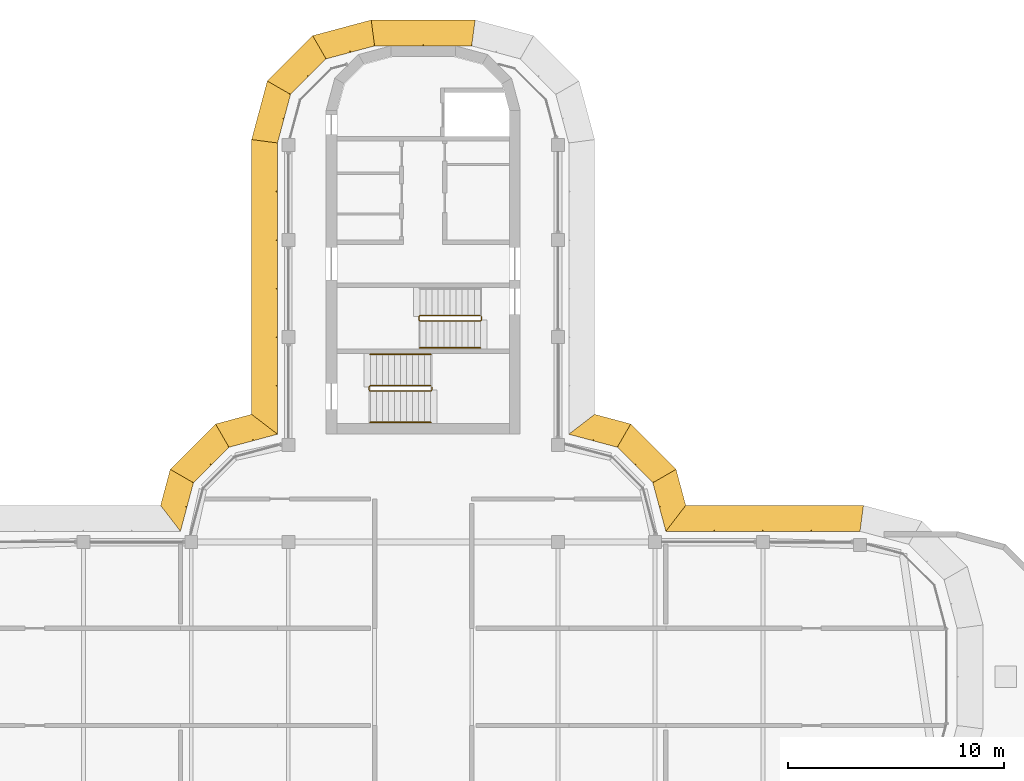
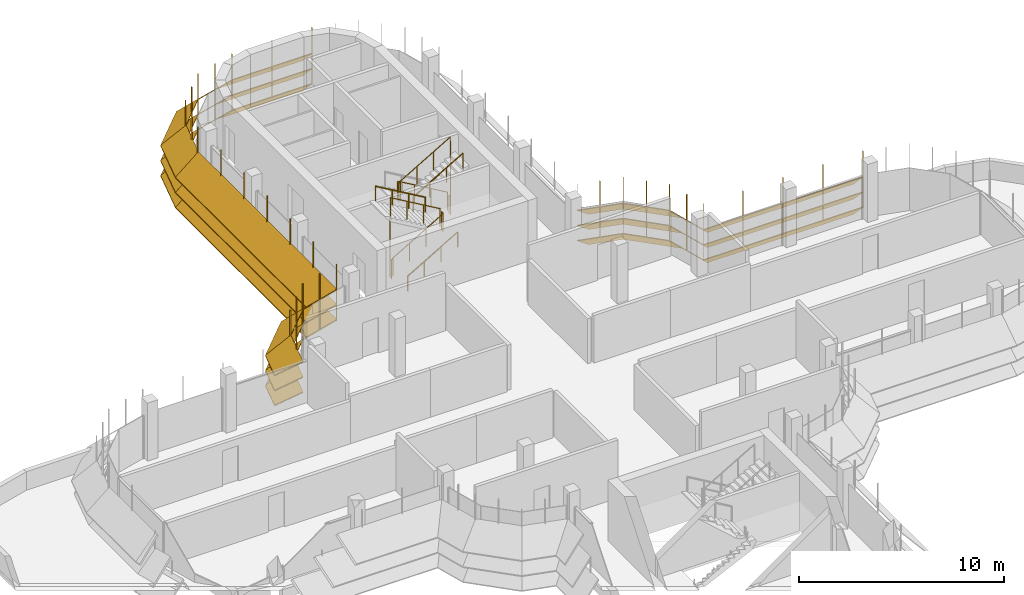
# One storey, part 19 of 20: 6 shading devices, 5 railings.
"""IFC4 building model written with IfcOpenShell, lengths in metres."""

from ifc_helpers import new_model, si_unit, direction, frame, origin, origin_2d, place, context, subcontext, project, spatial, polyline, circle, outline, extrude, faceted_brep, source, transform, mapped, material, type_object, element, save


model = new_model("IFC4")

# Units and contexts
model_context = context("Model", 3, precision=1e-05, world=origin(), true_north=direction((0.0, 1.0)))
body_context = subcontext(model_context, "Body", "Model", "MODEL_VIEW")
ifc_project = project(units=[si_unit("LENGTHUNIT", "METRE"), si_unit("AREAUNIT", "SQUARE_METRE"), si_unit("VOLUMEUNIT", "CUBIC_METRE"), si_unit("PLANEANGLEUNIT", "RADIAN"), si_unit("MASSUNIT", "GRAM", prefix="KILO")], contexts=[model_context])

# Site, building, storey
site_placement = place(None, origin())
site = spatial("IfcSite", under=ifc_project, at=site_placement, CompositionType="ELEMENT")
building_placement = place(site_placement, origin())
building = spatial("IfcBuilding", under=site, at=building_placement, Name="Zarbagh Exchange Tower", CompositionType="ELEMENT")
storey_placement = place(building_placement, frame((0.0, 0.0, 291.60009765625)))
storey = spatial("IfcBuildingStorey", under=building, at=storey_placement, Name="L71", CompositionType="ELEMENT", Elevation=291.60009765625)

# Railings
ifc_material_1 = material(Name="Stainless steel", Category="steel")
railing_type_1 = type_object("IfcRailingType", Name="Stair guard 1100 mm", PredefinedType="GUARDRAIL", material=ifc_material_1)
railing_1_placement = place(storey_placement, frame((2.64990234375, 16.75, 0.16357421875)))
element("IfcRailing", 1, at=railing_1_placement, inside=storey, type_object=railing_type_1, Name="ST1 stair guard 1", PredefinedType="GUARDRAIL", context=body_context, shape_type="SweptSolid", body=[
    extrude(circle(Radius=0.02392578125, at=origin_2d()), frame((0.0, 0.0, 1.076171875), z_axis=(-0.863374499697, 0.0, 0.504563646405), x_axis=(0.0, -1.0, 0.0)), (0.0, 0.0, 1.0), 3.242919921875),
    extrude(circle(Radius=0.02392578125, at=origin_2d()), frame((-2.7998046875, 0.0, 2.71240234375), z_axis=(-0.707106781187, -0.707106781187, 0.0), x_axis=(0.707106781187, -0.707106781187, 0.0)), (0.0, 0.0, 1.0), 0.07080078125),
    extrude(circle(Radius=0.02392578125, at=origin_2d()), frame((-2.849853515625, -0.050048828125, 2.71240234375), z_axis=(0.0, -1.0, 0.0), x_axis=(1.0, 0.0, 0.0)), (0.0, 0.0, 1.0), 0.14990234375),
    extrude(circle(Radius=0.02392578125, at=origin_2d()), frame((-2.849853515625, -0.199951171875, 2.71240234375), z_axis=(0.280456126637, -0.280456126637, 0.917980785237), x_axis=(0.707106781187, 0.707106781187, 0.0)), (0.0, 0.0, 1.0), 0.178466796875),
    extrude(circle(Radius=0.02392578125, at=origin_2d()), frame((-2.7998046875, -0.25, 2.8759765625), z_axis=(0.863374499697, 0.0, 0.504563646405), x_axis=(0.0, 1.0, 0.0)), (0.0, 0.0, 1.0), 3.242919921875),
    extrude(circle(Radius=0.02392578125, at=origin_2d()), frame((0.0, -0.25, 4.51220703125), z_axis=(0.013900331382, 0.013900331382, -0.999806762117), x_axis=(-0.707106781187, 0.707106781187, 0.0)), (0.0, 0.0, 1.0), 3.6005859375),
    extrude(circle(Radius=0.02392578125, at=origin_2d()), frame((0.050048828125, -0.199951171875, 0.91259765625), z_axis=(0.0, 1.0, 0.0), x_axis=(-1.0, 0.0, 0.0)), (0.0, 0.0, 1.0), 0.14990234375),
    extrude(circle(Radius=0.02099609375, at=origin_2d()), origin(), (0.0, 0.0, 1.0), 1.052001953125),
    extrude(circle(Radius=0.02099609375, at=origin_2d()), frame((-0.933349609375, 0.0, 0.54541015625)), (0.0, 0.0, 1.0), 1.052001953125),
    extrude(circle(Radius=0.02099609375, at=origin_2d()), frame((-1.866455078125, 0.0, 1.0908203125)), (0.0, 0.0, 1.0), 1.052001953125),
    extrude(circle(Radius=0.02099609375, at=origin_2d()), frame((-2.7998046875, 0.0, 1.63623046875)), (0.0, 0.0, 1.0), 1.052001953125),
    extrude(circle(Radius=0.02099609375, at=origin_2d()), frame((-2.849853515625, -0.050048828125, 1.63623046875)), (0.0, 0.0, 1.0), 1.052001953125),
    extrude(circle(Radius=0.02099609375, at=origin_2d()), frame((-2.849853515625, -0.199951171875, 1.63623046875)), (0.0, 0.0, 1.0), 1.052001953125),
    extrude(circle(Radius=0.02099609375, at=origin_2d()), frame((-2.7998046875, -0.25, 1.800048828125)), (0.0, 0.0, 1.0), 1.052001953125),
    extrude(circle(Radius=0.02099609375, at=origin_2d()), frame((-1.866455078125, -0.25, 2.345458984375)), (0.0, 0.0, 1.0), 1.052001953125),
    extrude(circle(Radius=0.02099609375, at=origin_2d()), frame((-0.933349609375, -0.25, 2.890869140625)), (0.0, 0.0, 1.0), 1.052001953125),
    extrude(circle(Radius=0.02099609375, at=origin_2d()), frame((0.0, -0.25, 3.436279296875)), (0.0, 0.0, 1.0), 1.052001953125),
    extrude(circle(Radius=0.02099609375, at=origin_2d()), frame((0.012451171875, -0.237548828125, 2.536376953125)), (0.0, 0.0, 1.0), 1.052001953125),
    extrude(circle(Radius=0.02099609375, at=origin_2d()), frame((0.02490234375, -0.22509765625, 1.63623046875)), (0.0, 0.0, 1.0), 1.052001953125),
    extrude(circle(Radius=0.02099609375, at=origin_2d()), frame((0.03759765625, -0.21240234375, 0.736328125)), (0.0, 0.0, 1.0), 1.052001953125),
    extrude(circle(Radius=0.02099609375, at=origin_2d()), frame((0.050048828125, -0.199951171875, -0.16357421875)), (0.0, 0.0, 1.0), 1.052001953125),
    extrude(circle(Radius=0.02099609375, at=origin_2d()), frame((0.050048828125, -0.050048828125, -0.16357421875)), (0.0, 0.0, 1.0), 1.052001953125),
])
railing_2_placement = place(storey_placement, frame((0.35009765625, 13.5, 1.963623046875)))
element("IfcRailing", 2, at=railing_2_placement, inside=storey, type_object=railing_type_1, Name="ST2 stair guard 1", PredefinedType="GUARDRAIL", context=body_context, shape_type="SweptSolid", body=[
    extrude(circle(Radius=0.02392578125, at=origin_2d()), frame((0.0, 0.0, 1.076171875), z_axis=(-0.863393664356, 0.0, 0.504530851732), x_axis=(0.0, -1.0, 0.0)), (0.0, 0.0, 1.0), 3.2431640625),
    extrude(circle(Radius=0.02392578125, at=origin_2d()), frame((-2.800048828125, 0.0, 2.71240234375), z_axis=(-0.013900331382, -0.013900331382, -0.999806762117), x_axis=(0.707106781187, -0.707106781187, 0.0)), (0.0, 0.0, 1.0), 3.6005859375),
    extrude(circle(Radius=0.02392578125, at=origin_2d()), frame((-2.85009765625, -0.050048828125, -0.8876953125), z_axis=(0.0, -1.0, 0.0), x_axis=(1.0, 0.0, 0.0)), (0.0, 0.0, 1.0), 0.14990234375),
    extrude(circle(Radius=0.02392578125, at=origin_2d()), frame((-2.85009765625, -0.199951171875, -0.8876953125), z_axis=(0.280808744504, -0.280808744504, 0.917765164963), x_axis=(0.707106781187, 0.707106781187, 0.0)), (0.0, 0.0, 1.0), 0.17822265625),
    extrude(circle(Radius=0.02392578125, at=origin_2d()), frame((-2.800048828125, -0.25, -0.72412109375), z_axis=(0.863393664356, 0.0, 0.504530851732), x_axis=(0.0, 1.0, 0.0)), (0.0, 0.0, 1.0), 3.2431640625),
    extrude(circle(Radius=0.02392578125, at=origin_2d()), frame((0.0, -0.25, 0.912109375), z_axis=(0.705375805398, 0.708833529934, 0.0), x_axis=(-0.708833529934, 0.705375805398, 0.0)), (0.0, 0.0, 1.0), 0.070556640625),
    extrude(circle(Radius=0.02392578125, at=origin_2d()), frame((0.0498046875, -0.199951171875, 0.912109375), z_axis=(0.0, 1.0, 0.0), x_axis=(-1.0, 0.0, 0.0)), (0.0, 0.0, 1.0), 0.14990234375),
    extrude(circle(Radius=0.02099609375, at=origin_2d()), origin(), (0.0, 0.0, 1.0), 1.052001953125),
    extrude(circle(Radius=0.02099609375, at=origin_2d()), frame((-0.933349609375, 0.0, 0.54541015625)), (0.0, 0.0, 1.0), 1.052001953125),
    extrude(circle(Radius=0.02099609375, at=origin_2d()), frame((-1.86669921875, 0.0, 1.0908203125)), (0.0, 0.0, 1.0), 1.052001953125),
    extrude(circle(Radius=0.02099609375, at=origin_2d()), frame((-2.800048828125, 0.0, 1.63623046875)), (0.0, 0.0, 1.0), 1.052001953125),
    extrude(circle(Radius=0.02099609375, at=origin_2d()), frame((-2.8125, -0.012451171875, 0.736328125)), (0.0, 0.0, 1.0), 1.052001953125),
    extrude(circle(Radius=0.02099609375, at=origin_2d()), frame((-2.8251953125, -0.02490234375, -0.16357421875)), (0.0, 0.0, 1.0), 1.052001953125),
    extrude(circle(Radius=0.02099609375, at=origin_2d()), frame((-2.837646484375, -0.03759765625, -1.063720703125)), (0.0, 0.0, 1.0), 1.052001953125),
    extrude(circle(Radius=0.02099609375, at=origin_2d()), frame((-2.85009765625, -0.050048828125, -1.963623046875)), (0.0, 0.0, 1.0), 1.052001953125),
    extrude(circle(Radius=0.02099609375, at=origin_2d()), frame((-2.85009765625, -0.199951171875, -1.963623046875)), (0.0, 0.0, 1.0), 1.052001953125),
    extrude(circle(Radius=0.02099609375, at=origin_2d()), frame((-2.800048828125, -0.25, -1.800048828125)), (0.0, 0.0, 1.0), 1.052001953125),
    extrude(circle(Radius=0.02099609375, at=origin_2d()), frame((-1.86669921875, -0.25, -1.254638671875)), (0.0, 0.0, 1.0), 1.052001953125),
    extrude(circle(Radius=0.02099609375, at=origin_2d()), frame((-0.933349609375, -0.25, -0.709228515625)), (0.0, 0.0, 1.0), 1.052001953125),
    extrude(circle(Radius=0.02099609375, at=origin_2d()), frame((0.0, -0.25, -0.163818359375)), (0.0, 0.0, 1.0), 1.052001953125),
    extrude(circle(Radius=0.02099609375, at=origin_2d()), frame((0.0498046875, -0.199951171875, -0.163818359375)), (0.0, 0.0, 1.0), 1.052001953125),
    extrude(circle(Radius=0.02099609375, at=origin_2d()), frame((0.0498046875, -0.050048828125, -0.163818359375)), (0.0, 0.0, 1.0), 1.052001953125),
])
railing_type_2 = type_object("IfcRailingType", Name="Stair handrail 900 mm", PredefinedType="HANDRAIL", material=ifc_material_1)
railing_3_placement = place(storey_placement, frame((-0.14990234375, 15.25, 1.963623046875)))
element("IfcRailing", 3, at=railing_3_placement, inside=storey, type_object=railing_type_2, Name="ST1 stair handrail 2", PredefinedType="HANDRAIL", context=body_context, shape_type="SweptSolid", body=[
    extrude(circle(Radius=0.02392578125, at=origin_2d()), frame((0.0, 0.0, 0.8759765625), z_axis=(0.863374499697, 0.0, 0.504563646405), x_axis=(0.0, 1.0, 0.0)), (0.0, 0.0, 1.0), 3.242919921875),
    extrude(circle(Radius=0.02099609375, at=origin_2d()), origin(), (0.0, 0.0, 1.0), 0.851806640625),
    extrude(circle(Radius=0.02099609375, at=origin_2d()), frame((0.933349609375, 0.0, 0.54541015625)), (0.0, 0.0, 1.0), 0.851806640625),
    extrude(circle(Radius=0.02099609375, at=origin_2d()), frame((1.866455078125, 0.0, 1.0908203125)), (0.0, 0.0, 1.0), 0.851806640625),
    extrude(circle(Radius=0.02099609375, at=origin_2d()), frame((2.7998046875, 0.0, 1.63623046875)), (0.0, 0.0, 1.0), 0.851806640625),
])
railing_4_placement = place(storey_placement, frame((-2.449951171875, 11.800048828125, 0.16357421875)))
element("IfcRailing", 4, at=railing_4_placement, inside=storey, type_object=railing_type_2, Name="ST2 stair handrail 1", PredefinedType="HANDRAIL", context=body_context, shape_type="SweptSolid", body=[
    extrude(circle(Radius=0.02392578125, at=origin_2d()), frame((0.0, 0.0, 0.8759765625), z_axis=(0.863393664356, 0.0, 0.504530851732), x_axis=(0.0, 1.0, 0.0)), (0.0, 0.0, 1.0), 3.2431640625),
    extrude(circle(Radius=0.02099609375, at=origin_2d()), origin(), (0.0, 0.0, 1.0), 0.851806640625),
    extrude(circle(Radius=0.02099609375, at=origin_2d()), frame((0.933349609375, 0.0, 0.54541015625)), (0.0, 0.0, 1.0), 0.851806640625),
    extrude(circle(Radius=0.02099609375, at=origin_2d()), frame((1.86669921875, 0.0, 1.0908203125)), (0.0, 0.0, 1.0), 0.851806640625),
    extrude(circle(Radius=0.02099609375, at=origin_2d()), frame((2.800048828125, 0.0, 1.63623046875)), (0.0, 0.0, 1.0), 0.851806640625),
])
railing_5_placement = place(storey_placement, frame((0.35009765625, 14.949951171875, 1.963623046875)))
element("IfcRailing", 5, at=railing_5_placement, inside=storey, type_object=railing_type_2, Name="ST2 stair handrail 2", PredefinedType="HANDRAIL", context=body_context, shape_type="SweptSolid", body=[
    extrude(circle(Radius=0.02392578125, at=origin_2d()), frame((0.0, 0.0, 0.8759765625), z_axis=(-0.863393664356, 0.0, 0.504530851732), x_axis=(0.0, -1.0, 0.0)), (0.0, 0.0, 1.0), 3.2431640625),
    extrude(circle(Radius=0.02099609375, at=origin_2d()), origin(), (0.0, 0.0, 1.0), 0.851806640625),
    extrude(circle(Radius=0.02099609375, at=origin_2d()), frame((-0.933349609375, 0.0, 0.54541015625)), (0.0, 0.0, 1.0), 0.851806640625),
    extrude(circle(Radius=0.02099609375, at=origin_2d()), frame((-1.86669921875, 0.0, 1.0908203125)), (0.0, 0.0, 1.0), 0.851806640625),
    extrude(circle(Radius=0.02099609375, at=origin_2d()), frame((-2.800048828125, 0.0, 1.63623046875)), (0.0, 0.0, 1.0), 0.851806640625),
])

# Shading devices
ifc_material_2 = material(Name="Anodised aluminium blades and brackets", Category="aluminium")
shading_device_type = type_object("IfcShadingDeviceType", Name="SUNSHADE louvre band, 45 degree blades", PredefinedType="JALOUSIE", material=ifc_material_2)
shared_shape_1 = source(origin(), body_context, "Body", "Brep", [
    faceted_brep([(0.0, 0.0, 0.0), (0.0, 0.0, -0.056640625), (-0.157958984375, -1.199951171875, -1.256591796875), (-0.157958984375, -1.199951171875, -1.199951171875), (2.65087890625, -1.199951171875, -1.199951171875), (2.65087890625, -1.199951171875, -1.256591796875), (2.329345703125, 0.0, -0.056640625), (2.329345703125, 0.0, 0.0)], [[[0, 1, 2, 3]], [[4, 5, 6, 7]], [[0, 7, 6, 1]], [[1, 6, 5, 2]], [[2, 5, 4, 3]], [[3, 4, 7, 0]]]),
])
shared_shape_2 = source(origin(), body_context, "Body", "Brep", [
    faceted_brep([(0.0, 0.0, 0.0), (0.0, 0.0, -0.056640625), (-0.321533203125, -1.199951171875, -1.256591796875), (-0.321533203125, -1.199951171875, -1.199951171875), (2.65087890625, -1.199951171875, -1.199951171875), (2.65087890625, -1.199951171875, -1.256591796875), (2.329345703125, 0.0, -0.056640625), (2.329345703125, 0.0, 0.0)], [[[0, 1, 2, 3]], [[4, 5, 6, 7]], [[0, 7, 6, 1]], [[1, 6, 5, 2]], [[2, 5, 4, 3]], [[3, 4, 7, 0]]]),
])
shared_shape_3 = source(origin(), body_context, "Body", "Brep", [
    faceted_brep([(0.0, 0.0, 0.0), (0.0, 0.0, -0.056640625), (-0.321533203125, -1.199951171875, -1.256591796875), (-0.321533203125, -1.199951171875, -1.199951171875), (2.4873046875, -1.199951171875, -1.199951171875), (2.4873046875, -1.199951171875, -1.256591796875), (2.329345703125, 0.0, -0.056640625), (2.329345703125, 0.0, 0.0)], [[[0, 1, 2, 3]], [[4, 5, 6, 7]], [[0, 7, 6, 1]], [[1, 6, 5, 2]], [[2, 5, 4, 3]], [[3, 4, 7, 0]]]),
])
shared_shape_4 = source(origin(), body_context, "Body", "SweptSolid", [
    extrude(outline(polyline([(0.0, -0.012451171875), (0.06005859375, -0.012451171875), (0.06005859375, 0.012451171875), (0.0, 0.012451171875), (0.0, -0.012451171875)])), origin(), (0.0, 0.0, 1.0), 3.366455078125),
])
placement = place(storey_placement, origin())
element("IfcShadingDevice", 6, at=placement, inside=storey, type_object=shading_device_type, Name="SS48 sunshade band", PredefinedType="JALOUSIE", context=body_context, shape_type="MappedRepresentation", body=[
    mapped(shared_shape_1, transform((-2.25, 29.25, 2.099853515625), x_axis=(-0.965924289636, -0.258824779902, 0.0), y_axis=(0.258824779902, -0.965924289636, 0.0), z_axis=(0.0, 0.0, 1.0))),
    mapped(shared_shape_1, transform((-2.25, 29.25, 1.199951171875), x_axis=(-0.965924289636, -0.258824779902, 0.0), y_axis=(0.258824779902, -0.965924289636, 0.0), z_axis=(0.0, 0.0, 1.0))),
    mapped(shared_shape_1, transform((-2.25, 29.25, 0.2998046875), x_axis=(-0.965924289636, -0.258824779902, 0.0), y_axis=(0.258824779902, -0.965924289636, 0.0), z_axis=(0.0, 0.0, 1.0))),
    mapped(shared_shape_2, transform((-4.5, 28.647216796875, 2.099853515625), x_axis=(-0.707106781187, -0.707106781187, 0.0), y_axis=(0.707106781187, -0.707106781187, 0.0), z_axis=(0.0, 0.0, 1.0))),
    mapped(shared_shape_2, transform((-4.5, 28.647216796875, 1.199951171875), x_axis=(-0.707106781187, -0.707106781187, 0.0), y_axis=(0.707106781187, -0.707106781187, 0.0), z_axis=(0.0, 0.0, 1.0))),
    mapped(shared_shape_2, transform((-4.5, 28.647216796875, 0.2998046875), x_axis=(-0.707106781187, -0.707106781187, 0.0), y_axis=(0.707106781187, -0.707106781187, 0.0), z_axis=(0.0, 0.0, 1.0))),
    mapped(shared_shape_3, transform((-6.147216796875, 27.0, 2.099853515625), x_axis=(-0.258824779902, -0.965924289636, 0.0), y_axis=(0.965924289636, -0.258824779902, 0.0), z_axis=(0.0, 0.0, 1.0))),
    mapped(shared_shape_3, transform((-6.147216796875, 27.0, 1.199951171875), x_axis=(-0.258824779902, -0.965924289636, 0.0), y_axis=(0.965924289636, -0.258824779902, 0.0), z_axis=(0.0, 0.0, 1.0))),
    mapped(shared_shape_3, transform((-6.147216796875, 27.0, 0.2998046875), x_axis=(-0.258824779902, -0.965924289636, 0.0), y_axis=(0.965924289636, -0.258824779902, 0.0), z_axis=(0.0, 0.0, 1.0))),
    mapped(shared_shape_4, transform((-2.25, 29.25, 0.21337890625), x_axis=(-0.130529263012, 0.991444457092, 0.0), y_axis=(-0.991444457092, -0.130529263012, 0.0), z_axis=(0.0, 0.0, 1.0))),
    mapped(shared_shape_4, transform((-3.375, 28.948486328125, 0.21337890625), x_axis=(-0.258825058029, 0.96592421511, 0.0), y_axis=(-0.96592421511, -0.258825058029, 0.0), z_axis=(0.0, 0.0, 1.0))),
    mapped(shared_shape_4, transform((-4.5, 28.647216796875, 0.21337890625), x_axis=(-0.50000275701, 0.866023812018, 0.0), y_axis=(-0.866023812018, -0.50000275701, 0.0), z_axis=(0.0, 0.0, 1.0))),
    mapped(shared_shape_4, transform((-5.323486328125, 27.823486328125, 0.21337890625), x_axis=(-0.707106781187, 0.707106781187, 0.0), y_axis=(-0.707106781187, -0.707106781187, 0.0), z_axis=(0.0, 0.0, 1.0))),
    mapped(shared_shape_4, transform((-6.147216796875, 27.0, 0.21337890625), x_axis=(-0.866023812018, 0.50000275701, 0.0), y_axis=(-0.50000275701, -0.866023812018, 0.0), z_axis=(0.0, 0.0, 1.0))),
    mapped(shared_shape_4, transform((-6.448486328125, 25.875, 0.21337890625), x_axis=(-0.96592421511, 0.258825058029, 0.0), y_axis=(-0.258825058029, -0.96592421511, 0.0), z_axis=(0.0, 0.0, 1.0))),
])
shared_shape_5 = source(origin(), body_context, "Body", "Brep", [
    faceted_brep([(0.0, 0.0, 0.0), (0.0, 0.0, -0.056640625), (0.9208984375, -1.199951171875, -1.256591796875), (0.9208984375, -1.199951171875, -1.199951171875), (2.65087890625, -1.199951171875, -1.199951171875), (2.65087890625, -1.199951171875, -1.256591796875), (2.329345703125, 0.0, -0.056640625), (2.329345703125, 0.0, 0.0)], [[[0, 1, 2, 3]], [[4, 5, 6, 7]], [[0, 7, 6, 1]], [[1, 6, 5, 2]], [[2, 5, 4, 3]], [[3, 4, 7, 0]]]),
])
shared_shape_6 = source(origin(), body_context, "Body", "Brep", [
    faceted_brep([(0.0, 0.0, 0.0), (0.0, 0.0, -0.056640625), (-0.321533203125, -1.199951171875, -1.256591796875), (-0.321533203125, -1.199951171875, -1.199951171875), (1.40869140625, -1.199951171875, -1.199951171875), (1.40869140625, -1.199951171875, -1.256591796875), (2.329345703125, 0.0, -0.056640625), (2.329345703125, 0.0, 0.0)], [[[0, 1, 2, 3]], [[4, 5, 6, 7]], [[0, 7, 6, 1]], [[1, 6, 5, 2]], [[2, 5, 4, 3]], [[3, 4, 7, 0]]]),
])
element("IfcShadingDevice", 7, at=placement, inside=storey, type_object=shading_device_type, Name="SS09 sunshade band", PredefinedType="JALOUSIE", context=body_context, shape_type="MappedRepresentation", body=[
    mapped(shared_shape_5, transform((11.25, 6.75, 2.099853515625), x_axis=(-0.258824779902, 0.965924289636, 0.0), y_axis=(-0.965924289636, -0.258824779902, 0.0), z_axis=(0.0, 0.0, 1.0))),
    mapped(shared_shape_5, transform((11.25, 6.75, 1.199951171875), x_axis=(-0.258824779902, 0.965924289636, 0.0), y_axis=(-0.965924289636, -0.258824779902, 0.0), z_axis=(0.0, 0.0, 1.0))),
    mapped(shared_shape_5, transform((11.25, 6.75, 0.2998046875), x_axis=(-0.258824779902, 0.965924289636, 0.0), y_axis=(-0.965924289636, -0.258824779902, 0.0), z_axis=(0.0, 0.0, 1.0))),
    mapped(shared_shape_2, transform((10.647216796875, 9.0, 2.099853515625), x_axis=(-0.707106781187, 0.707106781187, 0.0), y_axis=(-0.707106781187, -0.707106781187, 0.0), z_axis=(0.0, 0.0, 1.0))),
    mapped(shared_shape_2, transform((10.647216796875, 9.0, 1.199951171875), x_axis=(-0.707106781187, 0.707106781187, 0.0), y_axis=(-0.707106781187, -0.707106781187, 0.0), z_axis=(0.0, 0.0, 1.0))),
    mapped(shared_shape_2, transform((10.647216796875, 9.0, 0.2998046875), x_axis=(-0.707106781187, 0.707106781187, 0.0), y_axis=(-0.707106781187, -0.707106781187, 0.0), z_axis=(0.0, 0.0, 1.0))),
    mapped(shared_shape_6, transform((9.0, 10.647216796875, 2.099853515625), x_axis=(-0.965924289636, 0.258824779902, 0.0), y_axis=(-0.258824779902, -0.965924289636, 0.0), z_axis=(0.0, 0.0, 1.0))),
    mapped(shared_shape_6, transform((9.0, 10.647216796875, 1.199951171875), x_axis=(-0.965924289636, 0.258824779902, 0.0), y_axis=(-0.258824779902, -0.965924289636, 0.0), z_axis=(0.0, 0.0, 1.0))),
    mapped(shared_shape_6, transform((9.0, 10.647216796875, 0.2998046875), x_axis=(-0.965924289636, 0.258824779902, 0.0), y_axis=(-0.258824779902, -0.965924289636, 0.0), z_axis=(0.0, 0.0, 1.0))),
    mapped(shared_shape_4, transform((11.25, 6.75, 0.21337890625), x_axis=(0.608758892, 0.793355287, 0.0), y_axis=(-0.793355287, 0.608758892, 0.0), z_axis=(0.0, 0.0, 1.0))),
    mapped(shared_shape_4, transform((10.948486328125, 7.875, 0.21337890625), x_axis=(0.96592421511, 0.258825058029, 0.0), y_axis=(-0.258825058029, 0.96592421511, 0.0), z_axis=(0.0, 0.0, 1.0))),
    mapped(shared_shape_4, transform((10.647216796875, 9.0, 0.21337890625), x_axis=(0.866023812018, 0.50000275701, 0.0), y_axis=(-0.50000275701, 0.866023812018, 0.0), z_axis=(0.0, 0.0, 1.0))),
    mapped(shared_shape_4, transform((9.823486328125, 9.823486328125, 0.21337890625), x_axis=(0.707106781187, 0.707106781187, 0.0), y_axis=(-0.707106781187, 0.707106781187, 0.0), z_axis=(0.0, 0.0, 1.0))),
    mapped(shared_shape_4, transform((9.0, 10.647216796875, 0.21337890625), x_axis=(0.50000275701, 0.866023812018, 0.0), y_axis=(-0.866023812018, 0.50000275701, 0.0), z_axis=(0.0, 0.0, 1.0))),
    mapped(shared_shape_4, transform((7.875, 10.948486328125, 0.21337890625), x_axis=(0.258825058029, 0.96592421511, 0.0), y_axis=(-0.96592421511, 0.258825058029, 0.0), z_axis=(0.0, 0.0, 1.0))),
])
element("IfcShadingDevice", 8, at=placement, inside=storey, type_object=shading_device_type, Name="SS15 sunshade band", PredefinedType="JALOUSIE", context=body_context, shape_type="MappedRepresentation", body=[
    mapped(shared_shape_5, transform((-6.75, 11.25, 2.099853515625), x_axis=(-0.965924289636, -0.258824779902, 0.0), y_axis=(0.258824779902, -0.965924289636, 0.0), z_axis=(0.0, 0.0, 1.0))),
    mapped(shared_shape_5, transform((-6.75, 11.25, 1.199951171875), x_axis=(-0.965924289636, -0.258824779902, 0.0), y_axis=(0.258824779902, -0.965924289636, 0.0), z_axis=(0.0, 0.0, 1.0))),
    mapped(shared_shape_5, transform((-6.75, 11.25, 0.2998046875), x_axis=(-0.965924289636, -0.258824779902, 0.0), y_axis=(0.258824779902, -0.965924289636, 0.0), z_axis=(0.0, 0.0, 1.0))),
    mapped(shared_shape_2, transform((-9.0, 10.647216796875, 2.099853515625), x_axis=(-0.707106781187, -0.707106781187, 0.0), y_axis=(0.707106781187, -0.707106781187, 0.0), z_axis=(0.0, 0.0, 1.0))),
    mapped(shared_shape_2, transform((-9.0, 10.647216796875, 1.199951171875), x_axis=(-0.707106781187, -0.707106781187, 0.0), y_axis=(0.707106781187, -0.707106781187, 0.0), z_axis=(0.0, 0.0, 1.0))),
    mapped(shared_shape_2, transform((-9.0, 10.647216796875, 0.2998046875), x_axis=(-0.707106781187, -0.707106781187, 0.0), y_axis=(0.707106781187, -0.707106781187, 0.0), z_axis=(0.0, 0.0, 1.0))),
    mapped(shared_shape_6, transform((-10.647216796875, 9.0, 2.099853515625), x_axis=(-0.258824779902, -0.965924289636, 0.0), y_axis=(0.965924289636, -0.258824779902, 0.0), z_axis=(0.0, 0.0, 1.0))),
    mapped(shared_shape_6, transform((-10.647216796875, 9.0, 1.199951171875), x_axis=(-0.258824779902, -0.965924289636, 0.0), y_axis=(0.965924289636, -0.258824779902, 0.0), z_axis=(0.0, 0.0, 1.0))),
    mapped(shared_shape_6, transform((-10.647216796875, 9.0, 0.2998046875), x_axis=(-0.258824779902, -0.965924289636, 0.0), y_axis=(0.965924289636, -0.258824779902, 0.0), z_axis=(0.0, 0.0, 1.0))),
    mapped(shared_shape_4, transform((-6.75, 11.25, 0.21337890625), x_axis=(-0.793355287, 0.608758892, 0.0), y_axis=(-0.608758892, -0.793355287, 0.0), z_axis=(0.0, 0.0, 1.0))),
    mapped(shared_shape_4, transform((-7.875, 10.948486328125, 0.21337890625), x_axis=(-0.258825058029, 0.96592421511, 0.0), y_axis=(-0.96592421511, -0.258825058029, 0.0), z_axis=(0.0, 0.0, 1.0))),
    mapped(shared_shape_4, transform((-9.0, 10.647216796875, 0.21337890625), x_axis=(-0.50000275701, 0.866023812018, 0.0), y_axis=(-0.866023812018, -0.50000275701, 0.0), z_axis=(0.0, 0.0, 1.0))),
    mapped(shared_shape_4, transform((-9.823486328125, 9.823486328125, 0.21337890625), x_axis=(-0.707106781187, 0.707106781187, 0.0), y_axis=(-0.707106781187, -0.707106781187, 0.0), z_axis=(0.0, 0.0, 1.0))),
    mapped(shared_shape_4, transform((-10.647216796875, 9.0, 0.21337890625), x_axis=(-0.866023812018, 0.50000275701, 0.0), y_axis=(-0.50000275701, -0.866023812018, 0.0), z_axis=(0.0, 0.0, 1.0))),
    mapped(shared_shape_4, transform((-10.948486328125, 7.875, 0.21337890625), x_axis=(-0.96592421511, 0.258825058029, 0.0), y_axis=(-0.258825058029, -0.96592421511, 0.0), z_axis=(0.0, 0.0, 1.0))),
])
shared_shape_7 = source(origin(), body_context, "Body", "Brep", [
    faceted_brep([(0.0, 0.0, 0.0), (0.0, 0.0, -0.056640625), (-0.157958984375, -1.199951171875, -1.256591796875), (-0.157958984375, -1.199951171875, -1.199951171875), (8.0791015625, -1.199951171875, -1.199951171875), (8.0791015625, -1.199951171875, -1.256591796875), (9.0, 0.0, -0.056640625), (9.0, 0.0, 0.0)], [[[0, 1, 2, 3]], [[4, 5, 6, 7]], [[0, 7, 6, 1]], [[1, 6, 5, 2]], [[2, 5, 4, 3]], [[3, 4, 7, 0]]]),
])
element("IfcShadingDevice", 9, at=placement, inside=storey, type_object=shading_device_type, Name="SS61 sunshade band", PredefinedType="JALOUSIE", context=body_context, shape_type="MappedRepresentation", body=[
    mapped(shared_shape_7, transform((20.25, 6.75, 2.099853515625), x_axis=(-1.0, 0.0, 0.0), y_axis=(0.0, -1.0, 0.0), z_axis=(0.0, 0.0, 1.0))),
    mapped(shared_shape_7, transform((20.25, 6.75, 1.199951171875), x_axis=(-1.0, 0.0, 0.0), y_axis=(0.0, -1.0, 0.0), z_axis=(0.0, 0.0, 1.0))),
    mapped(shared_shape_7, transform((20.25, 6.75, 0.2998046875), x_axis=(-1.0, 0.0, 0.0), y_axis=(0.0, -1.0, 0.0), z_axis=(0.0, 0.0, 1.0))),
    mapped(shared_shape_4, transform((20.25, 6.75, 0.21337890625), x_axis=(0.130529263012, 0.991444457092, 0.0), y_axis=(-0.991444457092, 0.130529263012, 0.0), z_axis=(0.0, 0.0, 1.0))),
    mapped(shared_shape_4, transform((18.0, 6.75, 0.21337890625), x_axis=(0.0, 1.0, 0.0), y_axis=(-1.0, 0.0, 0.0), z_axis=(0.0, 0.0, 1.0))),
    mapped(shared_shape_4, transform((15.75, 6.75, 0.21337890625), x_axis=(0.0, 1.0, 0.0), y_axis=(-1.0, 0.0, 0.0), z_axis=(0.0, 0.0, 1.0))),
    mapped(shared_shape_4, transform((13.5, 6.75, 0.21337890625), x_axis=(0.0, 1.0, 0.0), y_axis=(-1.0, 0.0, 0.0), z_axis=(0.0, 0.0, 1.0))),
])
shared_shape_8 = source(origin(), body_context, "Body", "Brep", [
    faceted_brep([(0.0, 0.0, 0.0), (0.0, 0.0, -0.056640625), (-0.157958984375, -1.199951171875, -1.256591796875), (-0.157958984375, -1.199951171875, -1.199951171875), (4.657958984375, -1.199951171875, -1.199951171875), (4.657958984375, -1.199951171875, -1.256591796875), (4.5, 0.0, -0.056640625), (4.5, 0.0, 0.0)], [[[0, 1, 2, 3]], [[4, 5, 6, 7]], [[0, 7, 6, 1]], [[1, 6, 5, 2]], [[2, 5, 4, 3]], [[3, 4, 7, 0]]]),
])
element("IfcShadingDevice", 10, at=placement, inside=storey, type_object=shading_device_type, Name="SS47 sunshade band", PredefinedType="JALOUSIE", context=body_context, shape_type="MappedRepresentation", body=[
    mapped(shared_shape_8, transform((2.25, 29.25, 2.099853515625), x_axis=(-1.0, 0.0, 0.0), y_axis=(0.0, -1.0, 0.0), z_axis=(0.0, 0.0, 1.0))),
    mapped(shared_shape_8, transform((2.25, 29.25, 1.199951171875), x_axis=(-1.0, 0.0, 0.0), y_axis=(0.0, -1.0, 0.0), z_axis=(0.0, 0.0, 1.0))),
    mapped(shared_shape_8, transform((2.25, 29.25, 0.2998046875), x_axis=(-1.0, 0.0, 0.0), y_axis=(0.0, -1.0, 0.0), z_axis=(0.0, 0.0, 1.0))),
    mapped(shared_shape_4, transform((2.25, 29.25, 0.21337890625), x_axis=(0.130529263012, 0.991444457092, 0.0), y_axis=(-0.991444457092, 0.130529263012, 0.0), z_axis=(0.0, 0.0, 1.0))),
    mapped(shared_shape_4, transform((0.0, 29.25, 0.21337890625), x_axis=(0.0, 1.0, 0.0), y_axis=(-1.0, 0.0, 0.0), z_axis=(0.0, 0.0, 1.0))),
])
shared_shape_9 = source(origin(), body_context, "Body", "Brep", [
    faceted_brep([(0.0, 0.0, 0.0), (0.0, 0.0, -0.056640625), (-0.157958984375, -1.199951171875, -1.256591796875), (-0.157958984375, -1.199951171875, -1.199951171875), (12.5791015625, -1.199951171875, -1.199951171875), (12.5791015625, -1.199951171875, -1.256591796875), (13.5, 0.0, -0.056640625), (13.5, 0.0, 0.0)], [[[0, 1, 2, 3]], [[4, 5, 6, 7]], [[0, 7, 6, 1]], [[1, 6, 5, 2]], [[2, 5, 4, 3]], [[3, 4, 7, 0]]]),
])
element("IfcShadingDevice", 11, at=placement, inside=storey, type_object=shading_device_type, Name="SS49 sunshade band", PredefinedType="JALOUSIE", context=body_context, shape_type="MappedRepresentation", body=[
    mapped(shared_shape_9, transform((-6.75, 24.75, 2.099853515625), x_axis=(0.0, -1.0, 0.0), y_axis=(1.0, 0.0, 0.0), z_axis=(0.0, 0.0, 1.0))),
    mapped(shared_shape_9, transform((-6.75, 24.75, 1.199951171875), x_axis=(0.0, -1.0, 0.0), y_axis=(1.0, 0.0, 0.0), z_axis=(0.0, 0.0, 1.0))),
    mapped(shared_shape_9, transform((-6.75, 24.75, 0.2998046875), x_axis=(0.0, -1.0, 0.0), y_axis=(1.0, 0.0, 0.0), z_axis=(0.0, 0.0, 1.0))),
    mapped(shared_shape_4, transform((-6.75, 24.75, 0.21337890625), x_axis=(-0.991444457092, 0.130529263012, 0.0), y_axis=(-0.130529263012, -0.991444457092, 0.0), z_axis=(0.0, 0.0, 1.0))),
    mapped(shared_shape_4, transform((-6.75, 22.5, 0.21337890625), x_axis=(-1.0, 0.0, 0.0), y_axis=(0.0, -1.0, 0.0), z_axis=(0.0, 0.0, 1.0))),
    mapped(shared_shape_4, transform((-6.75, 20.25, 0.21337890625), x_axis=(-1.0, 0.0, 0.0), y_axis=(0.0, -1.0, 0.0), z_axis=(0.0, 0.0, 1.0))),
    mapped(shared_shape_4, transform((-6.75, 18.0, 0.21337890625), x_axis=(-1.0, 0.0, 0.0), y_axis=(0.0, -1.0, 0.0), z_axis=(0.0, 0.0, 1.0))),
    mapped(shared_shape_4, transform((-6.75, 15.75, 0.21337890625), x_axis=(-1.0, 0.0, 0.0), y_axis=(0.0, -1.0, 0.0), z_axis=(0.0, 0.0, 1.0))),
    mapped(shared_shape_4, transform((-6.75, 13.5, 0.21337890625), x_axis=(-1.0, 0.0, 0.0), y_axis=(0.0, -1.0, 0.0), z_axis=(0.0, 0.0, 1.0))),
])

save(model, "model.ifc")
